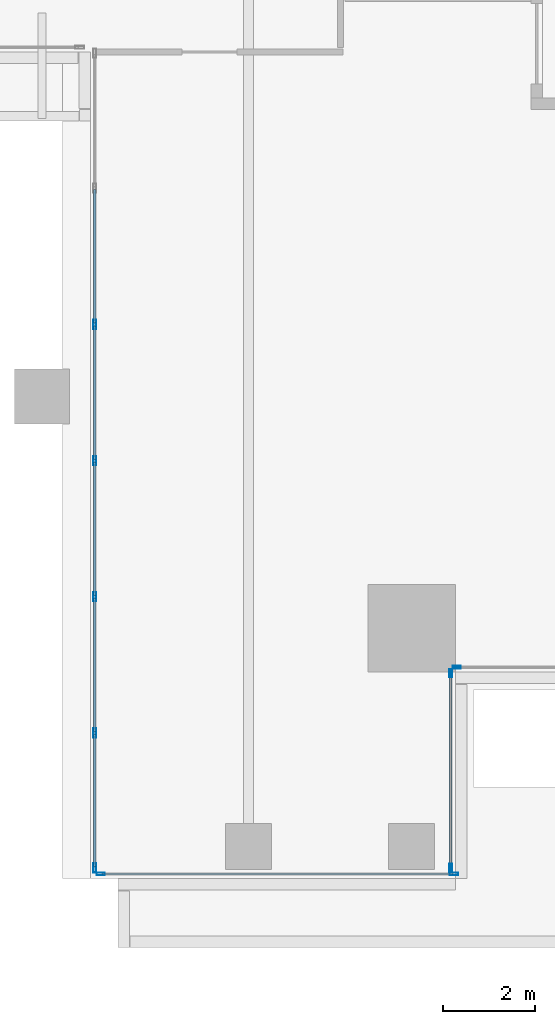
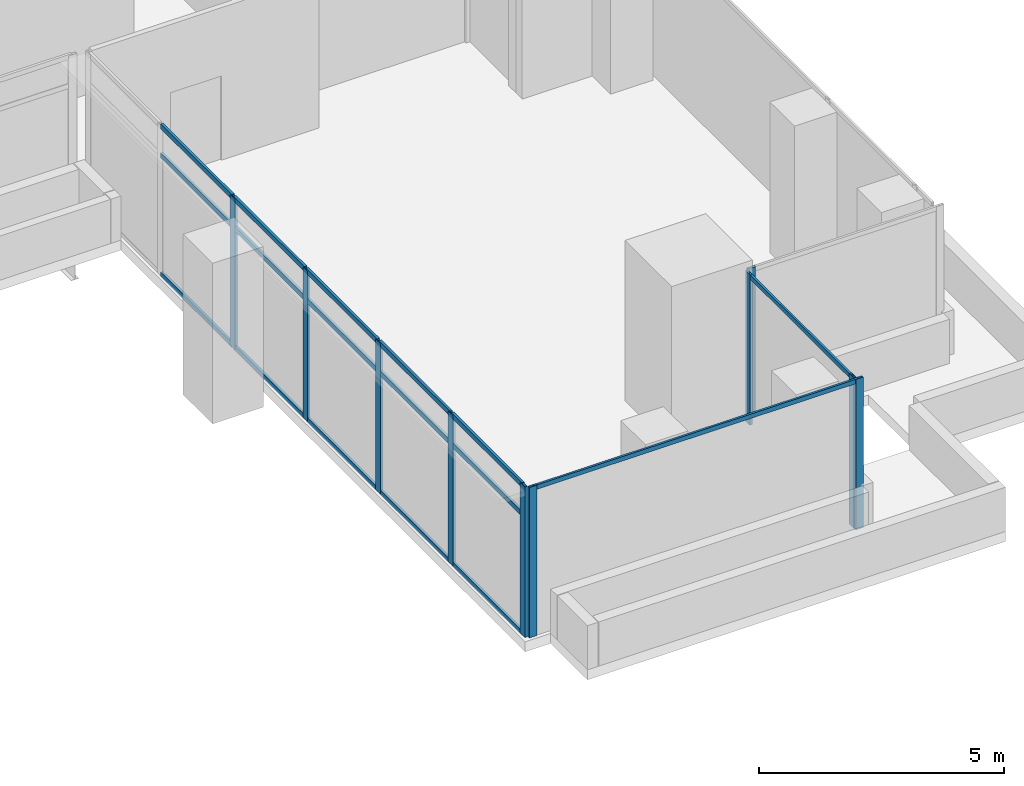
# One storey, part 8 of 43: 27 members, 4 elements without a shape of their own.
"""IFC4 building model written with IfcOpenShell, lengths in metres."""

from ifc_helpers import new_model, si_unit, direction, frame, origin, origin_2d, place, context, subcontext, project, spatial, hollow_rectangle, extrude, source, transform, mapped, material, material_profile, profile_set, type_object, element, aggregate, save


model = new_model("IFC4")

# Units and contexts
model_context = context("Model", 3, precision=1e-05, world=origin(), true_north=direction((0.0, 1.0)))
body_context = subcontext(model_context, "Body", "Model", "MODEL_VIEW")
ifc_project = project(units=[si_unit("LENGTHUNIT", "METRE"), si_unit("AREAUNIT", "SQUARE_METRE"), si_unit("VOLUMEUNIT", "CUBIC_METRE"), si_unit("PLANEANGLEUNIT", "RADIAN"), si_unit("MASSUNIT", "GRAM", prefix="KILO")], contexts=[model_context])

# Site, building, storey
site_placement = place(None, origin())
site = spatial("IfcSite", under=ifc_project, at=site_placement, CompositionType="ELEMENT")
building_placement = place(site_placement, origin())
building = spatial("IfcBuilding", under=site, at=building_placement, Name="Khomas Fold Tower", CompositionType="ELEMENT")
storey_placement = place(building_placement, frame((0.0, 0.0, 164.699951171875)))
storey = spatial("IfcBuildingStorey", under=building, at=storey_placement, Name="L35", CompositionType="ELEMENT", Elevation=164.699951171875)

# Curtain wall, members
ifc_material_1 = material(Name="Aluminium framed double glazing", Category="aluminium")
curtain_wall_type_1 = type_object("IfcCurtainWallType", Name="SK-Unitised clear-glass wall, office floors CW2", PredefinedType="NOTDEFINED", material=ifc_material_1)
curtain_wall_1_placement = place(storey_placement, origin())
curtain_wall_1 = element("IfcCurtainWall", 1, at=curtain_wall_1_placement, inside=storey, type_object=curtain_wall_type_1, Name="CW2 run L35 05-0", PredefinedType="NOTDEFINED")
ifc_material_2 = material(Name="Aluminium", Category="aluminium")
ifc_material_profile_1 = material_profile(ifc_material_2, hollow_rectangle(XDim=0.06005859375, YDim=0.179931640625, WallThickness=0.00390625, at=origin_2d()), Name="SK-Unitised clear-glass wall, office floors mullion CW2-M")
ifc_profile_set_1 = profile_set([ifc_material_profile_1], Name="Aluminium")
member_type_1 = type_object("IfcMemberType", Name="SK-Unitised clear-glass wall, office floors mullion CW2-M", PredefinedType="MULLION", material=ifc_profile_set_1)
shared_shape_1 = source(origin(), body_context, "Body", "SweptSolid", [
    extrude(hollow_rectangle(XDim=0.06005859375, YDim=0.179931640625, WallThickness=0.00390625, at=origin_2d()), origin(), (0.0, 0.0, 1.0), 3.75),
])
member_1_placement = place(storey_placement, frame((38.780029296875, 3.10009765625, 0.0), z_axis=(0.0, 0.0, 1.0), x_axis=(0.0, 1.0, 0.0)))
member_1 = element("IfcMember", 2, at=member_1_placement, type_object=member_type_1, Name="CW2 mullion 1", PredefinedType="MULLION", context=body_context, shape_type="MappedRepresentation", body=[
    mapped(shared_shape_1, transform((0.0, 0.0, 0.0))),
])
member_2_placement = place(storey_placement, frame((46.469970703125, 3.10009765625, 0.0), z_axis=(0.0, 0.0, 1.0), x_axis=(0.0, 1.0, 0.0)))
member_2 = element("IfcMember", 3, at=member_2_placement, type_object=member_type_1, Name="CW2 mullion 2", PredefinedType="MULLION", context=body_context, shape_type="MappedRepresentation", body=[
    mapped(shared_shape_1, transform((0.0, 0.0, 0.0))),
])

curtain_wall_2_placement = place(storey_placement, origin())
curtain_wall_2 = element("IfcCurtainWall", 4, at=curtain_wall_2_placement, inside=storey, type_object=curtain_wall_type_1, Name="CW2 corner return L35 06", PredefinedType="NOTDEFINED")
member_3_placement = place(storey_placement, frame((46.39990234375, 3.22998046875, 0.0), z_axis=(0.0, 0.0, 1.0), x_axis=(-1.0, 0.0, 0.0)))
member_3 = element("IfcMember", 5, at=member_3_placement, type_object=member_type_1, Name="CW2 mullion 1", PredefinedType="MULLION", context=body_context, shape_type="MappedRepresentation", body=[
    mapped(shared_shape_1, transform((0.0, 0.0, 0.0))),
])
member_4_placement = place(storey_placement, frame((46.39990234375, 7.469970703125, 0.0), z_axis=(0.0, 0.0, 1.0), x_axis=(-1.0, 0.0, 0.0)))
member_4 = element("IfcMember", 6, at=member_4_placement, type_object=member_type_1, Name="CW2 mullion 2", PredefinedType="MULLION", context=body_context, shape_type="MappedRepresentation", body=[
    mapped(shared_shape_1, transform((0.0, 0.0, 0.0))),
])

# Curtain wall, member
curtain_wall_3_placement = place(storey_placement, origin())
curtain_wall_3 = element("IfcCurtainWall", 7, at=curtain_wall_3_placement, inside=storey, type_object=curtain_wall_type_1, Name="CW2 corner return L35 07", PredefinedType="NOTDEFINED")
member_5_placement = place(storey_placement, frame((46.530029296875, 7.60009765625, 0.0), z_axis=(0.0, 0.0, 1.0), x_axis=(0.0, 1.0, 0.0)))
member_5 = element("IfcMember", 8, at=member_5_placement, type_object=member_type_1, Name="CW2 mullion 1", PredefinedType="MULLION", context=body_context, shape_type="MappedRepresentation", body=[
    mapped(shared_shape_1, transform((0.0, 0.0, 0.0))),
])
aggregate(curtain_wall_3, [member_5])

# Member
ifc_material_3 = material(Name="Aluminium", Category="aluminium")
ifc_material_profile_2 = material_profile(ifc_material_3, hollow_rectangle(XDim=0.050048828125, YDim=0.110107421875, WallThickness=0.00390625, at=origin_2d()), Name="SK-Unitised clear-glass wall, office floors transom CW2-T")
ifc_profile_set_2 = profile_set([ifc_material_profile_2], Name="Aluminium")
member_type_2 = type_object("IfcMemberType", Name="SK-Unitised clear-glass wall, office floors transom CW2-T", PredefinedType="USERDEFINED", material=ifc_profile_set_2)
shared_shape_2 = source(origin(), body_context, "Body", "SweptSolid", [
    extrude(hollow_rectangle(XDim=0.050048828125, YDim=0.110107421875, WallThickness=0.00390625, at=origin_2d()), origin(), (0.0, 0.0, 1.0), 7.6298828125),
])
member_6_placement = place(storey_placement, frame((38.81005859375, 3.10009765625, 3.695068359375), z_axis=(1.0, 0.0, 0.0), x_axis=(0.0, 1.0, 0.0)))
member_6 = element("IfcMember", 9, at=member_6_placement, type_object=member_type_2, Name="CW2 transom 1", ObjectType="TRANSOM", PredefinedType="USERDEFINED", context=body_context, shape_type="MappedRepresentation", body=[
    mapped(shared_shape_2, transform((0.0, 0.0, 0.0))),
])

aggregate(curtain_wall_1, [member_1, member_2, member_6])

shared_shape_3 = source(origin(), body_context, "Body", "SweptSolid", [
    extrude(hollow_rectangle(XDim=0.050048828125, YDim=0.110107421875, WallThickness=0.00390625, at=origin_2d()), origin(), (0.0, 0.0, 1.0), 4.179931640625),
])
member_7_placement = place(storey_placement, frame((46.39990234375, 3.260009765625, 3.695068359375), z_axis=(0.0, 1.0, 0.0), x_axis=(-1.0, 0.0, 0.0)))
member_7 = element("IfcMember", 10, at=member_7_placement, type_object=member_type_2, Name="CW2 transom 1", ObjectType="TRANSOM", PredefinedType="USERDEFINED", context=body_context, shape_type="MappedRepresentation", body=[
    mapped(shared_shape_3, transform((0.0, 0.0, 0.0))),
])

aggregate(curtain_wall_2, [member_3, member_4, member_7])

# Curtain wall, members
ifc_material_4 = material(Name="Aluminium framed double glazing", Category="aluminium")
curtain_wall_type_2 = type_object("IfcCurtainWallType", Name="Notch glazing GN-CW", PredefinedType="NOTDEFINED", material=ifc_material_4)
curtain_wall_4_placement = place(storey_placement, origin())
curtain_wall_4 = element("IfcCurtainWall", 11, at=curtain_wall_4_placement, inside=storey, type_object=curtain_wall_type_2, Name="Notch glazing run", PredefinedType="NOTDEFINED")
ifc_material_5 = material(Name="Aluminium", Category="aluminium")
ifc_material_profile_3 = material_profile(ifc_material_5, hollow_rectangle(XDim=0.06005859375, YDim=0.1201171875, WallThickness=0.00390625, at=origin_2d()), Name="Notch glazing transom GN-CW-T")
ifc_profile_set_3 = profile_set([ifc_material_profile_3], Name="Aluminium")
member_type_3 = type_object("IfcMemberType", Name="Notch glazing transom GN-CW-T", PredefinedType="USERDEFINED", material=ifc_profile_set_3)
shared_shape_4 = source(origin(), body_context, "Body", "SweptSolid", [
    extrude(hollow_rectangle(XDim=0.06005859375, YDim=0.1201171875, WallThickness=0.00390625, at=origin_2d()), origin(), (0.0, 0.0, 1.0), 2.876708984375),
])
member_8_placement = place(storey_placement, frame((38.64990234375, 6.13671875, 0.030029296875), z_axis=(0.0, -1.0, 0.0), x_axis=(1.0, 0.0, 0.0)))
member_8 = element("IfcMember", 12, at=member_8_placement, type_object=member_type_3, Name="GN-CW transom 6.1", ObjectType="TRANSOM", PredefinedType="USERDEFINED", context=body_context, shape_type="MappedRepresentation", body=[
    mapped(shared_shape_4, transform((0.0, 0.0, 0.0))),
])
member_9_placement = place(storey_placement, frame((38.64990234375, 6.13671875, 3.0), z_axis=(0.0, -1.0, 0.0), x_axis=(1.0, 0.0, 0.0)))
member_9 = element("IfcMember", 13, at=member_9_placement, type_object=member_type_3, Name="GN-CW transom 6.2", ObjectType="TRANSOM", PredefinedType="USERDEFINED", context=body_context, shape_type="MappedRepresentation", body=[
    mapped(shared_shape_4, transform((0.0, 0.0, 0.0))),
])
member_10_placement = place(storey_placement, frame((38.64990234375, 6.13671875, 3.719970703125), z_axis=(0.0, -1.0, 0.0), x_axis=(1.0, 0.0, 0.0)))
member_10 = element("IfcMember", 14, at=member_10_placement, type_object=member_type_3, Name="GN-CW transom 6.3", ObjectType="TRANSOM", PredefinedType="USERDEFINED", context=body_context, shape_type="MappedRepresentation", body=[
    mapped(shared_shape_4, transform((0.0, 0.0, 0.0))),
])
shared_shape_5 = source(origin(), body_context, "Body", "SweptSolid", [
    extrude(hollow_rectangle(XDim=0.06005859375, YDim=0.1201171875, WallThickness=0.00390625, at=origin_2d()), origin(), (0.0, 0.0, 1.0), 2.90673828125),
])
member_11_placement = place(storey_placement, frame((38.64990234375, 18.00341796875, 0.030029296875), z_axis=(0.0, -1.0, 0.0), x_axis=(1.0, 0.0, 0.0)))
member_11 = element("IfcMember", 15, at=member_11_placement, type_object=member_type_3, Name="GN-CW transom 2.1", ObjectType="TRANSOM", PredefinedType="USERDEFINED", context=body_context, shape_type="MappedRepresentation", body=[
    mapped(shared_shape_5, transform((0.0, 0.0, 0.0))),
])
member_12_placement = place(storey_placement, frame((38.64990234375, 18.00341796875, 3.0), z_axis=(0.0, -1.0, 0.0), x_axis=(1.0, 0.0, 0.0)))
member_12 = element("IfcMember", 16, at=member_12_placement, type_object=member_type_3, Name="GN-CW transom 2.2", ObjectType="TRANSOM", PredefinedType="USERDEFINED", context=body_context, shape_type="MappedRepresentation", body=[
    mapped(shared_shape_5, transform((0.0, 0.0, 0.0))),
])
member_13_placement = place(storey_placement, frame((38.64990234375, 18.00341796875, 3.719970703125), z_axis=(0.0, -1.0, 0.0), x_axis=(1.0, 0.0, 0.0)))
member_13 = element("IfcMember", 17, at=member_13_placement, type_object=member_type_3, Name="GN-CW transom 2.3", ObjectType="TRANSOM", PredefinedType="USERDEFINED", context=body_context, shape_type="MappedRepresentation", body=[
    mapped(shared_shape_5, transform((0.0, 0.0, 0.0))),
])
member_14_placement = place(storey_placement, frame((38.64990234375, 15.03662109375, 0.030029296875), z_axis=(0.0, -1.0, 0.0), x_axis=(1.0, 0.0, 0.0)))
member_14 = element("IfcMember", 18, at=member_14_placement, type_object=member_type_3, Name="GN-CW transom 3.1", ObjectType="TRANSOM", PredefinedType="USERDEFINED", context=body_context, shape_type="MappedRepresentation", body=[
    mapped(shared_shape_5, transform((0.0, 0.0, 0.0))),
])
member_15_placement = place(storey_placement, frame((38.64990234375, 15.03662109375, 3.0), z_axis=(0.0, -1.0, 0.0), x_axis=(1.0, 0.0, 0.0)))
member_15 = element("IfcMember", 19, at=member_15_placement, type_object=member_type_3, Name="GN-CW transom 3.2", ObjectType="TRANSOM", PredefinedType="USERDEFINED", context=body_context, shape_type="MappedRepresentation", body=[
    mapped(shared_shape_5, transform((0.0, 0.0, 0.0))),
])
member_16_placement = place(storey_placement, frame((38.64990234375, 15.03662109375, 3.719970703125), z_axis=(0.0, -1.0, 0.0), x_axis=(1.0, 0.0, 0.0)))
member_16 = element("IfcMember", 20, at=member_16_placement, type_object=member_type_3, Name="GN-CW transom 3.3", ObjectType="TRANSOM", PredefinedType="USERDEFINED", context=body_context, shape_type="MappedRepresentation", body=[
    mapped(shared_shape_5, transform((0.0, 0.0, 0.0))),
])
member_17_placement = place(storey_placement, frame((38.64990234375, 12.070068359375, 0.030029296875), z_axis=(0.0, -1.0, 0.0), x_axis=(1.0, 0.0, 0.0)))
member_17 = element("IfcMember", 21, at=member_17_placement, type_object=member_type_3, Name="GN-CW transom 4.1", ObjectType="TRANSOM", PredefinedType="USERDEFINED", context=body_context, shape_type="MappedRepresentation", body=[
    mapped(shared_shape_5, transform((0.0, 0.0, 0.0))),
])
member_18_placement = place(storey_placement, frame((38.64990234375, 12.070068359375, 3.0), z_axis=(0.0, -1.0, 0.0), x_axis=(1.0, 0.0, 0.0)))
member_18 = element("IfcMember", 22, at=member_18_placement, type_object=member_type_3, Name="GN-CW transom 4.2", ObjectType="TRANSOM", PredefinedType="USERDEFINED", context=body_context, shape_type="MappedRepresentation", body=[
    mapped(shared_shape_5, transform((0.0, 0.0, 0.0))),
])
member_19_placement = place(storey_placement, frame((38.64990234375, 12.070068359375, 3.719970703125), z_axis=(0.0, -1.0, 0.0), x_axis=(1.0, 0.0, 0.0)))
member_19 = element("IfcMember", 23, at=member_19_placement, type_object=member_type_3, Name="GN-CW transom 4.3", ObjectType="TRANSOM", PredefinedType="USERDEFINED", context=body_context, shape_type="MappedRepresentation", body=[
    mapped(shared_shape_5, transform((0.0, 0.0, 0.0))),
])
shared_shape_6 = source(origin(), body_context, "Body", "SweptSolid", [
    extrude(hollow_rectangle(XDim=0.06005859375, YDim=0.1201171875, WallThickness=0.00390625, at=origin_2d()), origin(), (0.0, 0.0, 1.0), 2.906494140625),
])
member_20_placement = place(storey_placement, frame((38.64990234375, 9.103271484375, 0.030029296875), z_axis=(0.0, -1.0, 0.0), x_axis=(1.0, 0.0, 0.0)))
member_20 = element("IfcMember", 24, at=member_20_placement, type_object=member_type_3, Name="GN-CW transom 5.1", ObjectType="TRANSOM", PredefinedType="USERDEFINED", context=body_context, shape_type="MappedRepresentation", body=[
    mapped(shared_shape_6, transform((0.0, 0.0, 0.0))),
])
member_21_placement = place(storey_placement, frame((38.64990234375, 9.103271484375, 3.0), z_axis=(0.0, -1.0, 0.0), x_axis=(1.0, 0.0, 0.0)))
member_21 = element("IfcMember", 25, at=member_21_placement, type_object=member_type_3, Name="GN-CW transom 5.2", ObjectType="TRANSOM", PredefinedType="USERDEFINED", context=body_context, shape_type="MappedRepresentation", body=[
    mapped(shared_shape_6, transform((0.0, 0.0, 0.0))),
])
member_22_placement = place(storey_placement, frame((38.64990234375, 9.103271484375, 3.719970703125), z_axis=(0.0, -1.0, 0.0), x_axis=(1.0, 0.0, 0.0)))
member_22 = element("IfcMember", 26, at=member_22_placement, type_object=member_type_3, Name="GN-CW transom 5.3", ObjectType="TRANSOM", PredefinedType="USERDEFINED", context=body_context, shape_type="MappedRepresentation", body=[
    mapped(shared_shape_6, transform((0.0, 0.0, 0.0))),
])
ifc_material_6 = material(Name="Aluminium", Category="aluminium")
ifc_material_profile_4 = material_profile(ifc_material_6, hollow_rectangle(XDim=0.06005859375, YDim=0.199951171875, WallThickness=0.00390625, at=origin_2d()), Name="Notch glazing mullion GN-CW-M")
ifc_profile_set_4 = profile_set([ifc_material_profile_4], Name="Aluminium")
member_type_4 = type_object("IfcMemberType", Name="Notch glazing mullion GN-CW-M", PredefinedType="MULLION", material=ifc_profile_set_4)
shared_shape_7 = source(origin(), body_context, "Body", "SweptSolid", [
    extrude(hollow_rectangle(XDim=0.06005859375, YDim=0.199951171875, WallThickness=0.00390625, at=origin_2d()), origin(), (0.0, 0.0, 1.0), 3.75),
])
member_23_placement = place(storey_placement, frame((38.64990234375, 15.066650390625, 0.0), z_axis=(0.0, 0.0, 1.0), x_axis=(1.0, 0.0, 0.0)))
member_23 = element("IfcMember", 27, at=member_23_placement, type_object=member_type_4, Name="GN-CW mullion 3", PredefinedType="MULLION", context=body_context, shape_type="MappedRepresentation", body=[
    mapped(shared_shape_7, transform((0.0, 0.0, 0.0))),
])
member_24_placement = place(storey_placement, frame((38.64990234375, 12.10009765625, 0.0), z_axis=(0.0, 0.0, 1.0), x_axis=(1.0, 0.0, 0.0)))
member_24 = element("IfcMember", 28, at=member_24_placement, type_object=member_type_4, Name="GN-CW mullion 4", PredefinedType="MULLION", context=body_context, shape_type="MappedRepresentation", body=[
    mapped(shared_shape_7, transform((0.0, 0.0, 0.0))),
])
member_25_placement = place(storey_placement, frame((38.64990234375, 9.13330078125, 0.0), z_axis=(0.0, 0.0, 1.0), x_axis=(1.0, 0.0, 0.0)))
member_25 = element("IfcMember", 29, at=member_25_placement, type_object=member_type_4, Name="GN-CW mullion 5", PredefinedType="MULLION", context=body_context, shape_type="MappedRepresentation", body=[
    mapped(shared_shape_7, transform((0.0, 0.0, 0.0))),
])
member_26_placement = place(storey_placement, frame((38.64990234375, 6.166748046875, 0.0), z_axis=(0.0, 0.0, 1.0), x_axis=(1.0, 0.0, 0.0)))
member_26 = element("IfcMember", 30, at=member_26_placement, type_object=member_type_4, Name="GN-CW mullion 6", PredefinedType="MULLION", context=body_context, shape_type="MappedRepresentation", body=[
    mapped(shared_shape_7, transform((0.0, 0.0, 0.0))),
])
member_27_placement = place(storey_placement, frame((38.64990234375, 3.22998046875, 0.0), z_axis=(0.0, 0.0, 1.0), x_axis=(1.0, 0.0, 0.0)))
member_27 = element("IfcMember", 31, at=member_27_placement, type_object=member_type_4, Name="GN-CW mullion 7", PredefinedType="MULLION", context=body_context, shape_type="MappedRepresentation", body=[
    mapped(shared_shape_7, transform((0.0, 0.0, 0.0))),
])
aggregate(curtain_wall_4, [member_23, member_24, member_25, member_26, member_27, member_11, member_12, member_13, member_14, member_15, member_16, member_17, member_18, member_19, member_20, member_21, member_22, member_8, member_9, member_10])

save(model, "model.ifc")
